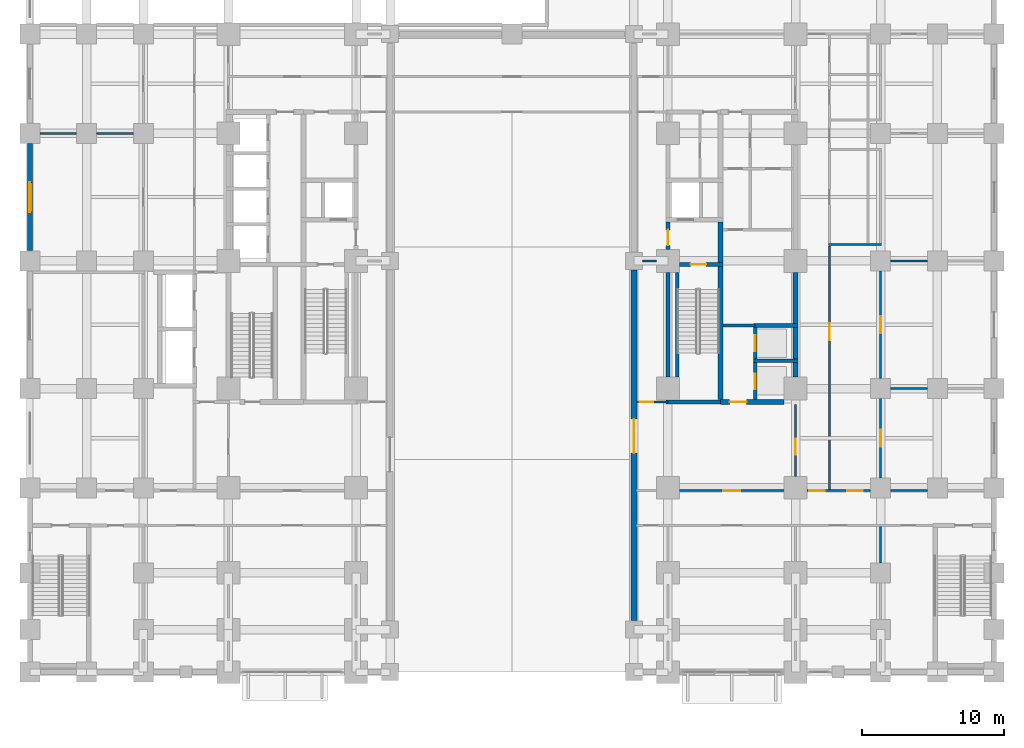
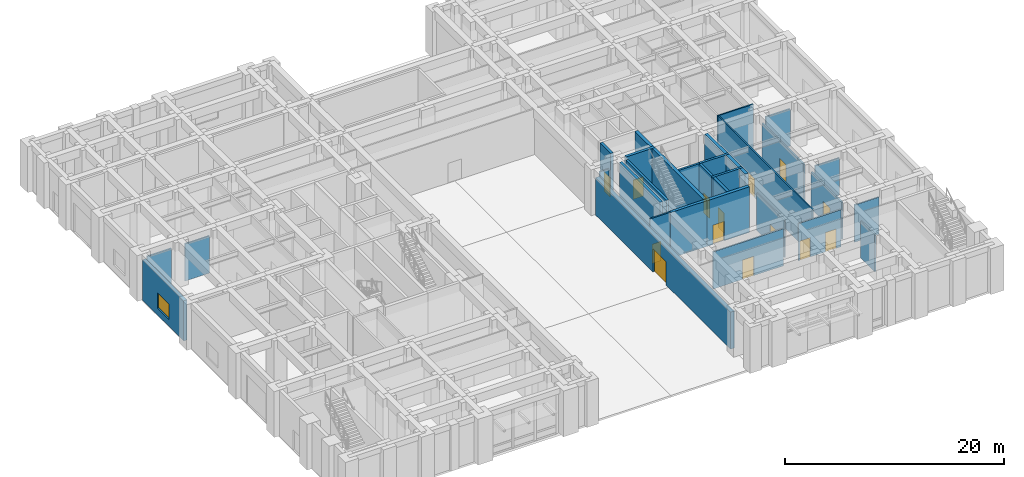
# One storey, part 8 of 20: 33 walls, 14 doors, 1 window, 15 openings.
"""IFC4 building model written with IfcOpenShell, lengths in metres."""

from ifc_helpers import new_model, si_unit, direction, frame, frame_2d, origin, place, context, subcontext, project, spatial, rectangle, extrude, material, layer, layer_set, type_object, element, fill, save


model = new_model("IFC4")

# Units and contexts
model_context = context("Model", 3, precision=1e-05, world=origin(), true_north=direction((0.0, 1.0)))
body_context = subcontext(model_context, "Body", "Model", "MODEL_VIEW")
ifc_project = project(units=[si_unit("LENGTHUNIT", "METRE"), si_unit("AREAUNIT", "SQUARE_METRE"), si_unit("VOLUMEUNIT", "CUBIC_METRE"), si_unit("PLANEANGLEUNIT", "RADIAN"), si_unit("MASSUNIT", "GRAM", prefix="KILO")], contexts=[model_context])

# Site, building, storey
site_placement = place(None, origin())
site = spatial("IfcSite", under=ifc_project, at=site_placement, CompositionType="ELEMENT")
building_placement = place(site_placement, origin())
building = spatial("IfcBuilding", under=site, at=building_placement, Name="Zulmaris Gate Convention Tower", CompositionType="ELEMENT")
storey_placement = place(building_placement, origin())
storey = spatial("IfcBuildingStorey", under=building, at=storey_placement, Name="L00", CompositionType="ELEMENT", Elevation=0.0)

# Walls
ifc_material_1 = material(Name="Concrete C50/60", Category="concrete")
ifc_layer_1 = layer(ifc_material_1, 0.25, Name="Concrete C50/60")
ifc_layer_set_1 = layer_set([ifc_layer_1], Name="Concrete C50/60")
wall_type_1 = type_object("IfcWallType", Name="CORE-250", PredefinedType="SOLIDWALL", material=ifc_layer_set_1)
for number, where, z_axis, x_axis, name in (
    (1, (17.02490234375, -7.050048828125, 0.0), (0.0, 0.0, 1.0), (1.0, 0.0, 0.0), "WL-L00-010"),
    (2, (17.02490234375, -4.550048828125, 0.0), (0.0, 0.0, 1.0), (1.0, 0.0, 0.0), "WL-L00-012"),
):
    element("IfcWall", number, at=place(storey_placement, frame(where, z_axis=z_axis, x_axis=x_axis)), inside=storey, type_object=wall_type_1, Name=name, PredefinedType="SOLIDWALL", context=body_context, shape_type="SweptSolid", body=[
        extrude(rectangle(XDim=3.150146484375, YDim=0.25, at=frame_2d((1.5751953125, 0.0))), origin(), (0.0, 0.0, 1.0), 5.08984375),
    ])
wall_1_placement = place(storey_placement, frame((11.64990234375, -8.196044921875, 0.0), z_axis=(0.0, 0.0, 1.0), x_axis=(0.0, 1.0, 0.0)))
element("IfcWall", 3, at=wall_1_placement, inside=storey, type_object=wall_type_1, Name="WL-L00-095", PredefinedType="SOLIDWALL", context=body_context, shape_type="SweptSolid", body=[
    extrude(rectangle(XDim=7.39208984375, YDim=0.25, at=frame_2d((3.696044921875, 0.0))), origin(), (0.0, 0.0, 1.0), 5.08984375),
])

# Wall, opening, door
wall_2_placement = place(storey_placement, frame((17.14990234375, -9.77294921875, 0.0), z_axis=(0.0, 0.0, 1.0), x_axis=(0.0, 1.0, 0.0)))
wall_2 = element("IfcWall", 4, at=wall_2_placement, inside=storey, type_object=wall_type_1, Name="WL-L00-101", PredefinedType="SOLIDWALL", context=body_context, shape_type="SweptSolid", body=[
    extrude(rectangle(XDim=2.595947265625, YDim=0.25, at=frame_2d((1.2978515625, 0.0))), origin(), (0.0, 0.0, 1.0), 5.08984375),
])
opening_1_placement = place(wall_2_placement, frame((0.722900390625, 0.0, 0.0)))
opening_1 = element("IfcOpeningElement", 5, at=opening_1_placement, cuts=wall_2, Name="Opening D-06", PredefinedType="OPENING", context=body_context, shape_type="SweptSolid", body=[
    extrude(rectangle(XDim=1.10009765625, YDim=2.199951171875, at=frame_2d((0.550048828125, 1.10009765625))), frame((0.0, 0.135009765625, 0.0), z_axis=(0.0, -1.0, 0.0), x_axis=(1.0, 0.0, 0.0)), (0.0, 0.0, 1.0), 0.27001953125),
])
ifc_material_2 = material(Name="Brushed Stainless Steel", Category="steel")
door_type_1 = type_object("IfcDoorType", Name="LD-1100", OperationType="NOTDEFINED", PredefinedType="DOOR", material=ifc_material_2)
door_1_placement = place(opening_1_placement, origin())
door_1 = element("IfcDoor", 6, at=door_1_placement, inside=storey, type_object=door_type_1, Name="L00 Lift Landing Door SL-01 16", OperationType="SLIDING_TO_RIGHT", OverallHeight=2.199951171875, OverallWidth=1.10009765625, PredefinedType="DOOR", context=body_context, shape_type="SweptSolid", body=[
    extrude(rectangle(XDim=1.10009765625, YDim=2.199951171875, at=frame_2d((0.550048828125, 1.10009765625))), frame((0.0, 0.02490234375, 0.0), z_axis=(0.0, -1.0, 0.0), x_axis=(1.0, 0.0, 0.0)), (0.0, 0.0, 1.0), 0.050048828125),
])
fill(opening_1, door_1)

wall_3_placement = place(storey_placement, frame((17.14990234375, -6.923095703125, 0.0), z_axis=(0.0, 0.0, 1.0), x_axis=(0.0, 1.0, 0.0)))
wall_3 = element("IfcWall", 7, at=wall_3_placement, inside=storey, type_object=wall_type_1, Name="WL-L00-102", PredefinedType="SOLIDWALL", context=body_context, shape_type="SweptSolid", body=[
    extrude(rectangle(XDim=2.24609375, YDim=0.25, at=frame_2d((1.123046875, 0.0))), origin(), (0.0, 0.0, 1.0), 5.08984375),
])
opening_2_placement = place(wall_3_placement, frame((0.572998046875, 0.0, 0.0)))
opening_2 = element("IfcOpeningElement", 8, at=opening_2_placement, cuts=wall_3, Name="Opening D-06", PredefinedType="OPENING", context=body_context, shape_type="SweptSolid", body=[
    extrude(rectangle(XDim=1.10009765625, YDim=2.199951171875, at=frame_2d((0.550048828125, 1.10009765625))), frame((0.0, 0.135009765625, 0.0), z_axis=(0.0, -1.0, 0.0), x_axis=(1.0, 0.0, 0.0)), (0.0, 0.0, 1.0), 0.27001953125),
])
door_2_placement = place(opening_2_placement, origin())
door_2 = element("IfcDoor", 9, at=door_2_placement, inside=storey, type_object=door_type_1, Name="L00 Lift Landing Door SL-02 17", OperationType="SLIDING_TO_RIGHT", OverallHeight=2.199951171875, OverallWidth=1.10009765625, PredefinedType="DOOR", context=body_context, shape_type="SweptSolid", body=[
    extrude(rectangle(XDim=1.10009765625, YDim=2.199951171875, at=frame_2d((0.550048828125, 1.10009765625))), frame((0.0, 0.02490234375, 0.0), z_axis=(0.0, -1.0, 0.0), x_axis=(1.0, 0.0, 0.0)), (0.0, 0.0, 1.0), 0.050048828125),
])
fill(opening_2, door_2)

# Wall
ifc_layer_2 = layer(ifc_material_1, 0.300048828125, Name="Concrete C50/60")
ifc_layer_set_2 = layer_set([ifc_layer_2], Name="Concrete C50/60")
wall_type_2 = type_object("IfcWallType", Name="CORE-300", PredefinedType="SHEAR", material=ifc_layer_set_2)
wall_4_placement = place(storey_placement, frame((10.85009765625, -9.949951171875, 0.0), z_axis=(0.0, 0.0, 1.0), x_axis=(1.0, 0.0, 0.0)))
element("IfcWall", 10, at=wall_4_placement, inside=storey, type_object=wall_type_2, Name="WL-L00-007", PredefinedType="SHEAR", context=body_context, shape_type="SweptSolid", body=[
    extrude(rectangle(XDim=3.849853515625, YDim=0.300048828125, at=frame_2d((1.9248046875, 0.0))), origin(), (0.0, 0.0, 1.0), 5.08984375),
])

# Wall, opening, door
wall_5_placement = place(storey_placement, frame((11.803955078125, -0.25, 0.0), z_axis=(0.0, 0.0, 1.0), x_axis=(1.0, 0.0, 0.0)))
wall_5 = element("IfcWall", 11, at=wall_5_placement, inside=storey, type_object=wall_type_2, Name="WL-L00-015", PredefinedType="SHEAR", context=body_context, shape_type="SweptSolid", body=[
    extrude(rectangle(XDim=3.071044921875, YDim=0.300048828125, at=frame_2d((1.53564453125, 0.0))), origin(), (0.0, 0.0, 1.0), 5.08984375),
])
opening_3_placement = place(wall_5_placement, frame((0.7958984375, 0.0, 0.0)))
opening_3 = element("IfcOpeningElement", 12, at=opening_3_placement, cuts=wall_5, Name="Opening D-08", PredefinedType="OPENING", context=body_context, shape_type="SweptSolid", body=[
    extrude(rectangle(XDim=1.10009765625, YDim=2.14990234375, at=frame_2d((0.550048828125, 1.074951171875))), frame((0.0, 0.16015625, 0.0), z_axis=(0.0, -1.0, 0.0), x_axis=(1.0, 0.0, 0.0)), (0.0, 0.0, 1.0), 0.320068359375),
])
ifc_material_3 = material(Name="Fire-Rated Steel", Category="steel")
door_type_2 = type_object("IfcDoorType", Name="DR-1100-FD", OperationType="NOTDEFINED", PredefinedType="DOOR", material=ifc_material_3)
door_3_placement = place(opening_3_placement, origin())
door_3 = element("IfcDoor", 13, at=door_3_placement, inside=storey, type_object=door_type_2, Name="L00 Exit Stair ST-2 Door 04", OperationType="SINGLE_SWING_RIGHT", OverallHeight=2.14990234375, OverallWidth=1.10009765625, PredefinedType="DOOR", context=body_context, shape_type="SweptSolid", body=[
    extrude(rectangle(XDim=1.10009765625, YDim=2.14990234375, at=frame_2d((0.550048828125, 1.074951171875))), frame((0.0, 0.02490234375, 0.0), z_axis=(0.0, -1.0, 0.0), x_axis=(1.0, 0.0, 0.0)), (0.0, 0.0, 1.0), 0.050048828125),
])
fill(opening_3, door_3)

# Wall
wall_6_placement = place(storey_placement, frame((11.0, -8.196044921875, 0.0), z_axis=(0.0, 0.0, 1.0), x_axis=(0.0, 1.0, 0.0)))
element("IfcWall", 14, at=wall_6_placement, inside=storey, type_object=wall_type_2, Name="WL-L00-091", PredefinedType="SHEAR", context=body_context, shape_type="SweptSolid", body=[
    extrude(rectangle(XDim=7.39208984375, YDim=0.300048828125, at=frame_2d((3.696044921875, 0.0))), origin(), (0.0, 0.0, 1.0), 5.08984375),
])

# Wall, opening, door
wall_7_placement = place(storey_placement, frame((11.0, 0.803955078125, 0.0), z_axis=(0.0, 0.0, 1.0), x_axis=(0.0, 1.0, 0.0)))
wall_7 = element("IfcWall", 15, at=wall_7_placement, inside=storey, type_object=wall_type_2, Name="WL-L00-092", PredefinedType="SHEAR", context=body_context, shape_type="SweptSolid", body=[
    extrude(rectangle(XDim=1.944091796875, YDim=0.300048828125, at=frame_2d((0.97216796875, 0.0))), origin(), (0.0, 0.0, 1.0), 5.08984375),
])
opening_4_placement = place(wall_7_placement, frame((0.2958984375, 0.0, 0.0)))
opening_4 = element("IfcOpeningElement", 16, at=opening_4_placement, cuts=wall_7, Name="Opening D-08", PredefinedType="OPENING", context=body_context, shape_type="SweptSolid", body=[
    extrude(rectangle(XDim=1.10009765625, YDim=2.14990234375, at=frame_2d((0.550048828125, 1.074951171875))), frame((0.0, 0.16015625, 0.0), z_axis=(0.0, -1.0, 0.0), x_axis=(1.0, 0.0, 0.0)), (0.0, 0.0, 1.0), 0.320068359375),
])
door_4_placement = place(opening_4_placement, origin())
door_4 = element("IfcDoor", 17, at=door_4_placement, inside=storey, type_object=door_type_2, Name="L00 East Firefighting Lobby Door 05", OperationType="SINGLE_SWING_LEFT", OverallHeight=2.14990234375, OverallWidth=1.10009765625, PredefinedType="DOOR", context=body_context, shape_type="SweptSolid", body=[
    extrude(rectangle(XDim=1.10009765625, YDim=2.14990234375, at=frame_2d((0.550048828125, 1.074951171875))), frame((0.0, 0.02490234375, 0.0), z_axis=(0.0, -1.0, 0.0), x_axis=(1.0, 0.0, 0.0)), (0.0, 0.0, 1.0), 0.050048828125),
])
fill(opening_4, door_4)

ifc_material_4 = material(Name="Concrete C55/67", Category="concrete")
ifc_layer_3 = layer(ifc_material_4, 0.35009765625, Name="Concrete C55/67")
ifc_layer_set_3 = layer_set([ifc_layer_3], Name="Concrete C55/67")
wall_type_3 = type_object("IfcWallType", Name="CORE-350", PredefinedType="SHEAR", material=ifc_layer_set_3)
wall_8_placement = place(storey_placement, frame((14.699951171875, -9.949951171875, 0.0), z_axis=(0.0, 0.0, 1.0), x_axis=(1.0, 0.0, 0.0)))
wall_8 = element("IfcWall", 18, at=wall_8_placement, inside=storey, type_object=wall_type_3, Name="WL-L00-008", PredefinedType="SHEAR", context=body_context, shape_type="SweptSolid", body=[
    extrude(rectangle(XDim=4.49609375, YDim=0.35009765625, at=frame_2d((2.248046875, 0.0))), origin(), (0.0, 0.0, 1.0), 5.08984375),
])
opening_5_placement = place(wall_8_placement, frame((0.64990234375, 0.0, 0.0)))
opening_5 = element("IfcOpeningElement", 19, at=opening_5_placement, cuts=wall_8, Name="Opening D-13", PredefinedType="OPENING", context=body_context, shape_type="SweptSolid", body=[
    extrude(rectangle(XDim=1.199951171875, YDim=2.14990234375, at=frame_2d((0.60009765625, 1.074951171875))), frame((0.0, 0.18505859375, 0.0), z_axis=(0.0, -1.0, 0.0), x_axis=(1.0, 0.0, 0.0)), (0.0, 0.0, 1.0), 0.3701171875),
])
door_type_3 = type_object("IfcDoorType", Name="DR-1200-FD", OperationType="NOTDEFINED", PredefinedType="DOOR", material=ifc_material_3)
door_5_placement = place(opening_5_placement, origin())
door_5 = element("IfcDoor", 20, at=door_5_placement, inside=storey, type_object=door_type_3, Name="L00 Express Shuttle Lobby Door 18", OperationType="SINGLE_SWING_LEFT", OverallHeight=2.14990234375, OverallWidth=1.199951171875, PredefinedType="DOOR", context=body_context, shape_type="SweptSolid", body=[
    extrude(rectangle(XDim=1.199951171875, YDim=2.14990234375, at=frame_2d((0.60009765625, 1.074951171875))), frame((0.0, 0.02490234375, 0.0), z_axis=(0.0, -1.0, 0.0), x_axis=(1.0, 0.0, 0.0)), (0.0, 0.0, 1.0), 0.050048828125),
])
fill(opening_5, door_5)

# Walls
wall_9_placement = place(storey_placement, frame((14.699951171875, -9.77294921875, 0.0), z_axis=(0.0, 0.0, 1.0), x_axis=(0.0, 1.0, 0.0)))
element("IfcWall", 21, at=wall_9_placement, inside=storey, type_object=wall_type_3, Name="WL-L00-097", PredefinedType="SHEAR", context=body_context, shape_type="SweptSolid", body=[
    extrude(rectangle(XDim=9.370849609375, YDim=0.35009765625, at=frame_2d((4.685546875, 0.0))), origin(), (0.0, 0.0, 1.0), 5.08984375),
])
wall_10_placement = place(storey_placement, frame((14.699951171875, -0.097900390625, 0.0), z_axis=(0.0, 0.0, 1.0), x_axis=(0.0, 1.0, 0.0)))
element("IfcWall", 22, at=wall_10_placement, inside=storey, type_object=wall_type_3, Name="WL-L00-098", PredefinedType="SHEAR", context=body_context, shape_type="SweptSolid", body=[
    extrude(rectangle(XDim=2.845947265625, YDim=0.35009765625, at=frame_2d((1.4228515625, 0.0))), origin(), (0.0, 0.0, 1.0), 5.08984375),
])
wall_11_placement = place(storey_placement, frame((20.0, -8.196044921875, 0.0), z_axis=(0.0, 0.0, 1.0), x_axis=(0.0, 1.0, 0.0)))
element("IfcWall", 23, at=wall_11_placement, inside=storey, type_object=wall_type_3, Name="WL-L00-103", PredefinedType="SHEAR", context=body_context, shape_type="SweptSolid", body=[
    extrude(rectangle(XDim=1.01904296875, YDim=0.35009765625, at=frame_2d((0.509521484375, 0.0))), origin(), (0.0, 0.0, 1.0), 5.08984375),
])
wall_12_placement = place(storey_placement, frame((20.0, -6.923095703125, 0.0), z_axis=(0.0, 0.0, 1.0), x_axis=(0.0, 1.0, 0.0)))
element("IfcWall", 24, at=wall_12_placement, inside=storey, type_object=wall_type_3, Name="WL-L00-104", PredefinedType="SHEAR", context=body_context, shape_type="SweptSolid", body=[
    extrude(rectangle(XDim=2.24609375, YDim=0.35009765625, at=frame_2d((1.123046875, 0.0))), origin(), (0.0, 0.0, 1.0), 5.08984375),
])
wall_13_placement = place(storey_placement, frame((20.0, -4.423095703125, 0.0), z_axis=(0.0, 0.0, 1.0), x_axis=(0.0, 1.0, 0.0)))
element("IfcWall", 25, at=wall_13_placement, inside=storey, type_object=wall_type_3, Name="WL-L00-105", PredefinedType="SHEAR", context=body_context, shape_type="SweptSolid", body=[
    extrude(rectangle(XDim=3.619140625, YDim=0.35009765625, at=frame_2d((1.8095703125, 0.0))), origin(), (0.0, 0.0, 1.0), 5.08984375),
])

# Wall, opening, door
ifc_material_5 = material(Name="Gypsum Metal Stud Partition")
ifc_layer_4 = layer(ifc_material_5, 0.14990234375, Name="Gypsum Metal Stud Partition")
ifc_layer_set_4 = layer_set([ifc_layer_4], Name="Gypsum Metal Stud Partition")
wall_type_4 = type_object("IfcWallType", Name="PART-150", PredefinedType="PARTITIONING", material=ifc_layer_set_4)
wall_14_placement = place(storey_placement, frame((11.805908203125, -16.199951171875, 0.0), z_axis=(0.0, 0.0, 1.0), x_axis=(1.0, 0.0, 0.0)))
wall_14 = element("IfcWall", 26, at=wall_14_placement, inside=storey, type_object=wall_type_4, Name="WL-L00-036S1", PredefinedType="PARTITIONING", context=body_context, shape_type="SweptSolid", body=[
    extrude(rectangle(XDim=7.38818359375, YDim=0.14990234375, at=frame_2d((3.694091796875, 0.0))), origin(), (0.0, 0.0, 1.0), 4.1318359375),
])
opening_6_placement = place(wall_14_placement, frame((3.093994140625, 0.0, 0.0)))
opening_6 = element("IfcOpeningElement", 27, at=opening_6_placement, cuts=wall_14, Name="Opening D-13", PredefinedType="OPENING", context=body_context, shape_type="SweptSolid", body=[
    extrude(rectangle(XDim=1.199951171875, YDim=2.14990234375, at=frame_2d((0.60009765625, 1.074951171875))), frame((0.0, 0.0849609375, 0.0), z_axis=(0.0, -1.0, 0.0), x_axis=(1.0, 0.0, 0.0)), (0.0, 0.0, 1.0), 0.169921875),
])
door_6_placement = place(opening_6_placement, origin())
door_6 = element("IfcDoor", 28, at=door_6_placement, inside=storey, type_object=door_type_3, Name="L00 SE Stair Link Door 47", OperationType="SINGLE_SWING_RIGHT", OverallHeight=2.14990234375, OverallWidth=1.199951171875, PredefinedType="DOOR", context=body_context, shape_type="SweptSolid", body=[
    extrude(rectangle(XDim=1.199951171875, YDim=2.14990234375, at=frame_2d((0.60009765625, 1.074951171875))), frame((0.0, 0.02490234375, 0.0), z_axis=(0.0, -1.0, 0.0), x_axis=(1.0, 0.0, 0.0)), (0.0, 0.0, 1.0), 0.050048828125),
])
fill(opening_6, door_6)

# Wall, openings, doors
wall_15_placement = place(storey_placement, frame((20.805908203125, -16.199951171875, 0.0), z_axis=(0.0, 0.0, 1.0), x_axis=(1.0, 0.0, 0.0)))
wall_15 = element("IfcWall", 29, at=wall_15_placement, inside=storey, type_object=wall_type_4, Name="WL-L00-036S2", PredefinedType="PARTITIONING", context=body_context, shape_type="SweptSolid", body=[
    extrude(rectangle(XDim=4.488037109375, YDim=0.14990234375, at=frame_2d((2.244140625, 0.0))), origin(), (0.0, 0.0, 1.0), 4.1318359375),
])
opening_7_placement = place(wall_15_placement, frame((0.14990234375, 0.0, 0.0)))
opening_7 = element("IfcOpeningElement", 30, at=opening_7_placement, cuts=wall_15, Name="Opening D-08", PredefinedType="OPENING", context=body_context, shape_type="SweptSolid", body=[
    extrude(rectangle(XDim=1.10009765625, YDim=2.14990234375, at=frame_2d((0.550048828125, 1.074951171875))), frame((0.0, 0.0849609375, 0.0), z_axis=(0.0, -1.0, 0.0), x_axis=(1.0, 0.0, 0.0)), (0.0, 0.0, 1.0), 0.169921875),
])
opening_8_placement = place(wall_15_placement, frame((2.843994140625, 0.0, 0.0)))
opening_8 = element("IfcOpeningElement", 31, at=opening_8_placement, cuts=wall_15, Name="Opening D-08", PredefinedType="OPENING", context=body_context, shape_type="SweptSolid", body=[
    extrude(rectangle(XDim=1.10009765625, YDim=2.14990234375, at=frame_2d((0.550048828125, 1.074951171875))), frame((0.0, 0.0849609375, 0.0), z_axis=(0.0, -1.0, 0.0), x_axis=(1.0, 0.0, 0.0)), (0.0, 0.0, 1.0), 0.169921875),
])
door_7_placement = place(opening_7_placement, origin())
door_7 = element("IfcDoor", 32, at=door_7_placement, inside=storey, type_object=door_type_2, Name="L00 East Exit South Door 48", OperationType="SINGLE_SWING_LEFT", OverallHeight=2.14990234375, OverallWidth=1.10009765625, PredefinedType="DOOR", context=body_context, shape_type="SweptSolid", body=[
    extrude(rectangle(XDim=1.10009765625, YDim=2.14990234375, at=frame_2d((0.550048828125, 1.074951171875))), frame((0.0, 0.02490234375, 0.0), z_axis=(0.0, -1.0, 0.0), x_axis=(1.0, 0.0, 0.0)), (0.0, 0.0, 1.0), 0.050048828125),
])
fill(opening_7, door_7)
door_8_placement = place(opening_8_placement, origin())
door_8 = element("IfcDoor", 33, at=door_8_placement, inside=storey, type_object=door_type_2, Name="L00 Retail Promenade South Door 67", OperationType="SINGLE_SWING_RIGHT", OverallHeight=2.14990234375, OverallWidth=1.10009765625, PredefinedType="DOOR", context=body_context, shape_type="SweptSolid", body=[
    extrude(rectangle(XDim=1.10009765625, YDim=2.14990234375, at=frame_2d((0.550048828125, 1.074951171875))), frame((0.0, 0.02490234375, 0.0), z_axis=(0.0, -1.0, 0.0), x_axis=(1.0, 0.0, 0.0)), (0.0, 0.0, 1.0), 0.050048828125),
])
fill(opening_8, door_8)

# Wall
wall_16_placement = place(storey_placement, frame((26.7060546875, -16.199951171875, 0.0), z_axis=(0.0, 0.0, 1.0), x_axis=(1.0, 0.0, 0.0)))
element("IfcWall", 34, at=wall_16_placement, inside=storey, type_object=wall_type_4, Name="WL-L00-036S3", PredefinedType="PARTITIONING", context=body_context, shape_type="SweptSolid", body=[
    extrude(rectangle(XDim=2.587890625, YDim=0.14990234375, at=frame_2d((1.2939453125, 0.0))), origin(), (0.0, 0.0, 1.0), 4.1318359375),
])

# Wall, opening, door
wall_17_placement = place(storey_placement, frame((8.764892578125, -9.949951171875, 0.0), z_axis=(0.0, 0.0, 1.0), x_axis=(1.0, 0.0, 0.0)))
wall_17 = element("IfcWall", 35, at=wall_17_placement, inside=storey, type_object=wall_type_4, Name="WL-L00-039", PredefinedType="PARTITIONING", context=body_context, shape_type="SweptSolid", body=[
    extrude(rectangle(XDim=2.235107421875, YDim=0.14990234375, at=frame_2d((1.11767578125, 0.0))), origin(), (0.0, 0.0, 1.0), 5.08984375),
])
opening_9_placement = place(wall_17_placement, frame((0.239990234375, 0.0, 0.0)))
opening_9 = element("IfcOpeningElement", 36, at=opening_9_placement, cuts=wall_17, Name="Opening D-11", PredefinedType="OPENING", context=body_context, shape_type="SweptSolid", body=[
    extrude(rectangle(XDim=0.949951171875, YDim=2.14990234375, at=frame_2d((0.47509765625, 1.074951171875))), frame((0.0, 0.0849609375, 0.0), z_axis=(0.0, -1.0, 0.0), x_axis=(1.0, 0.0, 0.0)), (0.0, 0.0, 1.0), 0.169921875),
])
ifc_material_6 = material(Name="Fire-Rated Timber", Category="wood")
door_type_4 = type_object("IfcDoorType", Name="DR-950-FD", OperationType="NOTDEFINED", PredefinedType="DOOR", material=ifc_material_6)
door_9_placement = place(opening_9_placement, origin())
door_9 = element("IfcDoor", 37, at=door_9_placement, inside=storey, type_object=door_type_4, Name="L00 SE Arch Store Door 31", OperationType="SINGLE_SWING_RIGHT", OverallHeight=2.14990234375, OverallWidth=0.949951171875, PredefinedType="DOOR", context=body_context, shape_type="SweptSolid", body=[
    extrude(rectangle(XDim=0.949951171875, YDim=2.14990234375, at=frame_2d((0.47509765625, 1.074951171875))), frame((0.0, 0.02490234375, 0.0), z_axis=(0.0, -1.0, 0.0), x_axis=(1.0, 0.0, 0.0)), (0.0, 0.0, 1.0), 0.050048828125),
])
fill(opening_9, door_9)

# Walls
wall_18_placement = place(storey_placement, frame((26.7060546875, -9.0, 0.0), z_axis=(0.0, 0.0, 1.0), x_axis=(1.0, 0.0, 0.0)))
element("IfcWall", 38, at=wall_18_placement, inside=storey, type_object=wall_type_4, Name="WL-L00-040", PredefinedType="PARTITIONING", context=body_context, shape_type="SweptSolid", body=[
    extrude(rectangle(XDim=2.587890625, YDim=0.14990234375, at=frame_2d((1.2939453125, 0.0))), origin(), (0.0, 0.0, 1.0), 4.1318359375),
])
wall_19_placement = place(storey_placement, frame((9.2060546875, 0.0, 0.0), z_axis=(0.0, 0.0, 1.0), x_axis=(1.0, 0.0, 0.0)))
element("IfcWall", 39, at=wall_19_placement, inside=storey, type_object=wall_type_4, Name="WL-L00-045", PredefinedType="PARTITIONING", context=body_context, shape_type="SweptSolid", body=[
    extrude(rectangle(XDim=0.988037109375, YDim=0.14990234375, at=frame_2d((0.494140625, 0.0))), origin(), (0.0, 0.0, 1.0), 4.1318359375),
])
wall_20_placement = place(storey_placement, frame((26.7060546875, 0.0, 0.0), z_axis=(0.0, 0.0, 1.0), x_axis=(1.0, 0.0, 0.0)))
element("IfcWall", 40, at=wall_20_placement, inside=storey, type_object=wall_type_4, Name="WL-L00-046", PredefinedType="PARTITIONING", context=body_context, shape_type="SweptSolid", body=[
    extrude(rectangle(XDim=2.587890625, YDim=0.14990234375, at=frame_2d((1.2939453125, 0.0))), origin(), (0.0, 0.0, 1.0), 4.1318359375),
])
wall_21_placement = place(storey_placement, frame((22.324951171875, 1.14990234375, 0.0), z_axis=(0.0, 0.0, 1.0), x_axis=(1.0, 0.0, 0.0)))
element("IfcWall", 41, at=wall_21_placement, inside=storey, type_object=wall_type_4, Name="WL-L00-047", PredefinedType="PARTITIONING", context=body_context, shape_type="SweptSolid", body=[
    extrude(rectangle(XDim=3.75, YDim=0.14990234375, at=frame_2d((1.875, 0.0))), origin(), (0.0, 0.0, 1.0), 5.08984375),
])
for number, where, z_axis, x_axis, name in (
    (42, (-33.2939453125, 9.0, 0.0), (0.0, 0.0, 1.0), (1.0, 0.0, 0.0), "WL-L00-051"),
    (43, (-29.2939453125, 9.0, 0.0), (0.0, 0.0, 1.0), (1.0, 0.0, 0.0), "WL-L00-051S1"),
):
    element("IfcWall", number, at=place(storey_placement, frame(where, z_axis=z_axis, x_axis=x_axis)), inside=storey, type_object=wall_type_4, Name=name, PredefinedType="PARTITIONING", context=body_context, shape_type="SweptSolid", body=[
        extrude(rectangle(XDim=2.587890625, YDim=0.14990234375, at=frame_2d((1.2939453125, 0.0))), origin(), (0.0, 0.0, 1.0), 4.1318359375),
    ])

# Wall, opening, door
wall_22_placement = place(storey_placement, frame((20.0, -15.194091796875, 0.0), z_axis=(0.0, 0.0, 1.0), x_axis=(0.0, 1.0, 0.0)))
wall_22 = element("IfcWall", 44, at=wall_22_placement, inside=storey, type_object=wall_type_4, Name="WL-L00-135", PredefinedType="PARTITIONING", context=body_context, shape_type="SweptSolid", body=[
    extrude(rectangle(XDim=5.066162109375, YDim=0.14990234375, at=frame_2d((2.533203125, 0.0))), origin(), (0.0, 0.0, 1.0), 4.1318359375),
])
opening_10_placement = place(wall_22_placement, frame((1.5439453125, 0.0, 0.0)))
opening_10 = element("IfcOpeningElement", 45, at=opening_10_placement, cuts=wall_22, Name="Opening D-08", PredefinedType="OPENING", context=body_context, shape_type="SweptSolid", body=[
    extrude(rectangle(XDim=1.10009765625, YDim=2.14990234375, at=frame_2d((0.550048828125, 1.074951171875))), frame((0.0, 0.0849609375, 0.0), z_axis=(0.0, -1.0, 0.0), x_axis=(1.0, 0.0, 0.0)), (0.0, 0.0, 1.0), 0.169921875),
])
door_10_placement = place(opening_10_placement, origin())
door_10 = element("IfcDoor", 46, at=door_10_placement, inside=storey, type_object=door_type_2, Name="L00 SE Passage Link Door 46", OperationType="SINGLE_SWING_LEFT", OverallHeight=2.14990234375, OverallWidth=1.10009765625, PredefinedType="DOOR", context=body_context, shape_type="SweptSolid", body=[
    extrude(rectangle(XDim=1.10009765625, YDim=2.14990234375, at=frame_2d((0.550048828125, 1.074951171875))), frame((0.0, 0.02490234375, 0.0), z_axis=(0.0, -1.0, 0.0), x_axis=(1.0, 0.0, 0.0)), (0.0, 0.0, 1.0), 0.050048828125),
])
fill(opening_10, door_10)

wall_23_placement = place(storey_placement, frame((22.39990234375, -16.1220703125, 0.0), z_axis=(0.0, 0.0, 1.0), x_axis=(0.0, 1.0, 0.0)))
wall_23 = element("IfcWall", 47, at=wall_23_placement, inside=storey, type_object=wall_type_4, Name="WL-L00-139", PredefinedType="PARTITIONING", context=body_context, shape_type="SweptSolid", body=[
    extrude(rectangle(XDim=17.194091796875, YDim=0.14990234375, at=frame_2d((8.59716796875, 0.0))), origin(), (0.0, 0.0, 1.0), 5.08984375),
])
opening_11_placement = place(wall_23_placement, frame((10.52197265625, 0.0, 0.0)))
opening_11 = element("IfcOpeningElement", 48, at=opening_11_placement, cuts=wall_23, Name="Opening D-13", PredefinedType="OPENING", context=body_context, shape_type="SweptSolid", body=[
    extrude(rectangle(XDim=1.199951171875, YDim=2.14990234375, at=frame_2d((0.60009765625, 1.074951171875))), frame((0.0, 0.0849609375, 0.0), z_axis=(0.0, -1.0, 0.0), x_axis=(1.0, 0.0, 0.0)), (0.0, 0.0, 1.0), 0.169921875),
])
door_11_placement = place(opening_11_placement, origin())
door_11 = element("IfcDoor", 49, at=door_11_placement, inside=storey, type_object=door_type_3, Name="L00 Retail Promenade Door 66", OperationType="SINGLE_SWING_LEFT", OverallHeight=2.14990234375, OverallWidth=1.199951171875, PredefinedType="DOOR", context=body_context, shape_type="SweptSolid", body=[
    extrude(rectangle(XDim=1.199951171875, YDim=2.14990234375, at=frame_2d((0.60009765625, 1.074951171875))), frame((0.0, 0.02490234375, 0.0), z_axis=(0.0, -1.0, 0.0), x_axis=(1.0, 0.0, 0.0)), (0.0, 0.0, 1.0), 0.050048828125),
])
fill(opening_11, door_11)

# Wall
wall_24_placement = place(storey_placement, frame((26.0, -21.2939453125, 0.0), z_axis=(0.0, 0.0, 1.0), x_axis=(0.0, 1.0, 0.0)))
element("IfcWall", 50, at=wall_24_placement, inside=storey, type_object=wall_type_4, Name="WL-L00-148S2", PredefinedType="PARTITIONING", context=body_context, shape_type="SweptSolid", body=[
    extrude(rectangle(XDim=2.56591796875, YDim=0.14990234375, at=frame_2d((1.282958984375, 0.0))), origin(), (0.0, 0.0, 1.0), 4.1318359375),
])

# Wall, opening, door
wall_25_placement = place(storey_placement, frame((26.0, -15.2939453125, 0.0), z_axis=(0.0, 0.0, 1.0), x_axis=(0.0, 1.0, 0.0)))
wall_25 = element("IfcWall", 51, at=wall_25_placement, inside=storey, type_object=wall_type_4, Name="WL-L00-149", PredefinedType="PARTITIONING", context=body_context, shape_type="SweptSolid", body=[
    extrude(rectangle(XDim=5.587890625, YDim=0.14990234375, at=frame_2d((2.7939453125, 0.0))), origin(), (0.0, 0.0, 1.0), 4.1318359375),
])
opening_12_placement = place(wall_25_placement, frame((2.194091796875, 0.0, 0.0)))
opening_12 = element("IfcOpeningElement", 52, at=opening_12_placement, cuts=wall_25, Name="Opening D-22", PredefinedType="OPENING", context=body_context, shape_type="SweptSolid", body=[
    extrude(rectangle(XDim=1.199951171875, YDim=2.14990234375, at=frame_2d((0.60009765625, 1.074951171875))), frame((0.0, 0.0849609375, 0.0), z_axis=(0.0, -1.0, 0.0), x_axis=(1.0, 0.0, 0.0)), (0.0, 0.0, 1.0), 0.169921875),
])
ifc_material_7 = material(Name="Glazed Anodised Aluminium", Category="aluminium")
door_type_5 = type_object("IfcDoorType", Name="DR-1200", OperationType="NOTDEFINED", PredefinedType="DOOR", material=ifc_material_7)
door_12_placement = place(opening_12_placement, origin())
door_12 = element("IfcDoor", 53, at=door_12_placement, inside=storey, type_object=door_type_5, Name="L00 Silk Road Bookshop Door 68", OperationType="SINGLE_SWING_LEFT", OverallHeight=2.14990234375, OverallWidth=1.199951171875, PredefinedType="DOOR", context=body_context, shape_type="SweptSolid", body=[
    extrude(rectangle(XDim=1.199951171875, YDim=2.14990234375, at=frame_2d((0.60009765625, 1.074951171875))), frame((0.0, 0.02490234375, 0.0), z_axis=(0.0, -1.0, 0.0), x_axis=(1.0, 0.0, 0.0)), (0.0, 0.0, 1.0), 0.050048828125),
])
fill(opening_12, door_12)

wall_26_placement = place(storey_placement, frame((26.0, -8.2939453125, 0.0), z_axis=(0.0, 0.0, 1.0), x_axis=(0.0, 1.0, 0.0)))
wall_26 = element("IfcWall", 54, at=wall_26_placement, inside=storey, type_object=wall_type_4, Name="WL-L00-150", PredefinedType="PARTITIONING", context=body_context, shape_type="SweptSolid", body=[
    extrude(rectangle(XDim=7.587890625, YDim=0.14990234375, at=frame_2d((3.7939453125, 0.0))), origin(), (0.0, 0.0, 1.0), 4.1318359375),
])
opening_13_placement = place(wall_26_placement, frame((3.194091796875, 0.0, 0.0)))
opening_13 = element("IfcOpeningElement", 55, at=opening_13_placement, cuts=wall_26, Name="Opening D-22", PredefinedType="OPENING", context=body_context, shape_type="SweptSolid", body=[
    extrude(rectangle(XDim=1.199951171875, YDim=2.14990234375, at=frame_2d((0.60009765625, 1.074951171875))), frame((0.0, 0.0849609375, 0.0), z_axis=(0.0, -1.0, 0.0), x_axis=(1.0, 0.0, 0.0)), (0.0, 0.0, 1.0), 0.169921875),
])
door_13_placement = place(opening_13_placement, origin())
door_13 = element("IfcDoor", 56, at=door_13_placement, inside=storey, type_object=door_type_5, Name="L00 Retail Boutique Door 69", OperationType="SINGLE_SWING_RIGHT", OverallHeight=2.14990234375, OverallWidth=1.199951171875, PredefinedType="DOOR", context=body_context, shape_type="SweptSolid", body=[
    extrude(rectangle(XDim=1.199951171875, YDim=2.14990234375, at=frame_2d((0.60009765625, 1.074951171875))), frame((0.0, 0.02490234375, 0.0), z_axis=(0.0, -1.0, 0.0), x_axis=(1.0, 0.0, 0.0)), (0.0, 0.0, 1.0), 0.050048828125),
])
fill(opening_13, door_13)

# Wall
ifc_material_8 = material(Name="Autoclaved Aerated Concrete Block and Plasterboard", Category="concrete")
ifc_layer_5 = layer(ifc_material_8, 0.199951171875, Name="Autoclaved Aerated Concrete Block and Plasterboard")
ifc_layer_set_5 = layer_set([ifc_layer_5], Name="Autoclaved Aerated Concrete Block and Plasterboard")
wall_type_5 = type_object("IfcWallType", Name="PART-200", PredefinedType="PARTITIONING", material=ifc_layer_set_5)
wall_27_placement = place(storey_placement, frame((14.8779296875, -4.550048828125, 0.0), z_axis=(0.0, 0.0, 1.0), x_axis=(1.0, 0.0, 0.0)))
element("IfcWall", 57, at=wall_27_placement, inside=storey, type_object=wall_type_5, Name="WL-L00-041", PredefinedType="PARTITIONING", context=body_context, shape_type="SweptSolid", body=[
    extrude(rectangle(XDim=2.27197265625, YDim=0.199951171875, at=frame_2d((1.135986328125, 0.0))), origin(), (0.0, 0.0, 1.0), 5.08984375),
])

# Wall, opening, door
ifc_material_9 = material(Name="Precast concrete C50/60", Category="concrete")
ifc_layer_6 = layer(ifc_material_9, 0.39990234375, Name="Precast concrete C50/60")
ifc_layer_set_6 = layer_set([ifc_layer_6], Name="Precast concrete C50/60")
wall_type_6 = type_object("IfcWallType", Name="PRECAST-ARCH-400", PredefinedType="STANDARD", material=ifc_layer_set_6)
wall_28_placement = place(storey_placement, frame((8.60009765625, -0.64990234375, 0.0), z_axis=(0.0, 0.0, 1.0), x_axis=(0.0, -1.0, 0.0)))
wall_28 = element("IfcWall", 58, at=wall_28_placement, inside=storey, type_object=wall_type_6, Name="EW-L00-ARCH-ES_0", PredefinedType="STANDARD", context=body_context, shape_type="SweptSolid", body=[
    extrude(rectangle(XDim=24.7001953125, YDim=0.39990234375, at=frame_2d((12.35009765625, 0.0))), origin(), (0.0, 0.0, 1.0), 4.1318359375),
])
opening_14_placement = place(wall_28_placement, frame((10.5, 0.0, 0.0)))
opening_14 = element("IfcOpeningElement", 59, at=opening_14_placement, cuts=wall_28, Name="Opening D-01", PredefinedType="OPENING", context=body_context, shape_type="SweptSolid", body=[
    extrude(rectangle(XDim=2.39990234375, YDim=2.60009765625, at=frame_2d((1.199951171875, 1.300048828125))), frame((0.0, 0.2099609375, 0.0), z_axis=(0.0, -1.0, 0.0), x_axis=(1.0, 0.0, 0.0)), (0.0, 0.0, 1.0), 0.419921875),
])
ifc_material_10 = material(Name="Anodised Aluminium and Laminated Glass", Category="aluminium")
door_type_6 = type_object("IfcDoorType", Name="ED-2400", OperationType="DOUBLE_DOOR_DOUBLE_SWING", PredefinedType="DOOR", material=ifc_material_10)
door_14_placement = place(opening_14_placement, origin())
door_14 = element("IfcDoor", 60, at=door_14_placement, inside=storey, type_object=door_type_6, Name="Pishtaq Concourse ES Lobby Door", OperationType="DOUBLE_DOOR_DOUBLE_SWING", OverallHeight=2.60009765625, OverallWidth=2.39990234375, PredefinedType="DOOR", context=body_context, shape_type="SweptSolid", body=[
    extrude(rectangle(XDim=2.39990234375, YDim=2.60009765625, at=frame_2d((1.199951171875, 1.300048828125))), frame((0.0, 0.02490234375, 0.0), z_axis=(0.0, -1.0, 0.0), x_axis=(1.0, 0.0, 0.0)), (0.0, 0.0, 1.0), 0.050048828125),
])
fill(opening_14, door_14)

# Wall, opening, window
ifc_material_11 = material(Name="Precast concrete C45/55", Category="concrete")
ifc_layer_7 = layer(ifc_material_11, 0.35009765625, Name="Precast concrete C45/55")
ifc_layer_set_7 = layer_set([ifc_layer_7], Name="Precast concrete C45/55")
wall_type_7 = type_object("IfcWallType", Name="PRECAST-POD-350", PredefinedType="STANDARD", material=ifc_layer_set_7)
wall_29_placement = place(storey_placement, frame((-34.0, 0.72998046875, 0.0), z_axis=(0.0, 0.0, 1.0), x_axis=(0.0, 1.0, 0.0)))
wall_29 = element("IfcWall", 61, at=wall_29_placement, inside=storey, type_object=wall_type_7, Name="EW-L00-W-0_0", PredefinedType="STANDARD", context=body_context, shape_type="SweptSolid", body=[
    extrude(rectangle(XDim=7.5400390625, YDim=0.35009765625, at=frame_2d((3.77001953125, 0.0))), origin(), (0.0, 0.0, 1.0), 4.48193359375),
])
opening_15_placement = place(wall_29_placement, frame((2.719970703125, 0.0, 0.75)))
opening_15 = element("IfcOpeningElement", 62, at=opening_15_placement, cuts=wall_29, Name="Opening W-05", PredefinedType="OPENING", context=body_context, shape_type="SweptSolid", body=[
    extrude(rectangle(XDim=2.10009765625, YDim=1.75, at=frame_2d((1.050048828125, 0.875))), frame((0.0, 0.18505859375, 0.0), z_axis=(0.0, -1.0, 0.0), x_axis=(1.0, 0.0, 0.0)), (0.0, 0.0, 1.0), 0.3701171875),
])
ifc_material_12 = material(Name="Low-E Laminated Double Glazing in Aluminium Frame", Category="aluminium")
window_type = type_object("IfcWindowType", Name="WIN-2100x2400", PartitioningType="SINGLE_PANEL", PredefinedType="WINDOW", material=ifc_material_12)
window_placement = place(opening_15_placement, origin())
window = element("IfcWindow", 63, at=window_placement, inside=storey, type_object=window_type, Name="WN-EW-L00-W-0_0", OverallHeight=1.75, OverallWidth=2.10009765625, PartitioningType="SINGLE_PANEL", PredefinedType="WINDOW", context=body_context, shape_type="SweptSolid", body=[
    extrude(rectangle(XDim=2.10009765625, YDim=1.75, at=frame_2d((1.050048828125, 0.875))), frame((0.0, 0.030029296875, 0.0), z_axis=(0.0, -1.0, 0.0), x_axis=(1.0, 0.0, 0.0)), (0.0, 0.0, 1.0), 0.06005859375),
])
fill(opening_15, window)

save(model, "model.ifc")
